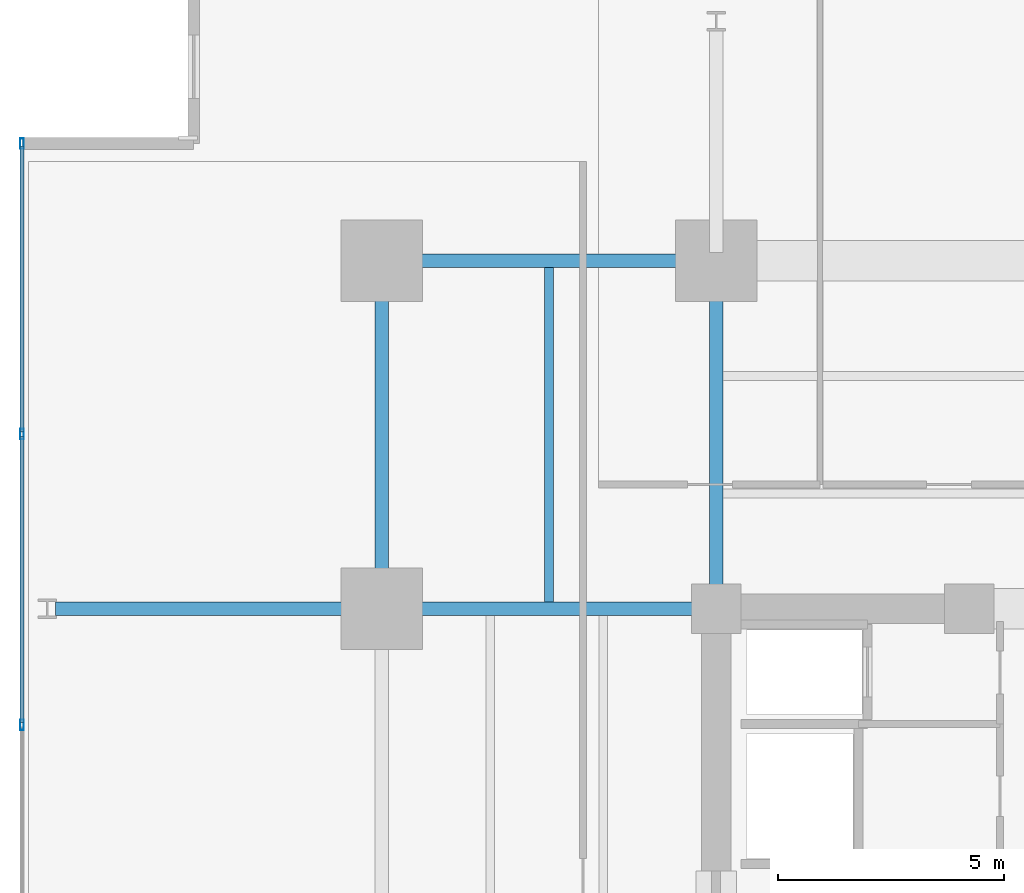
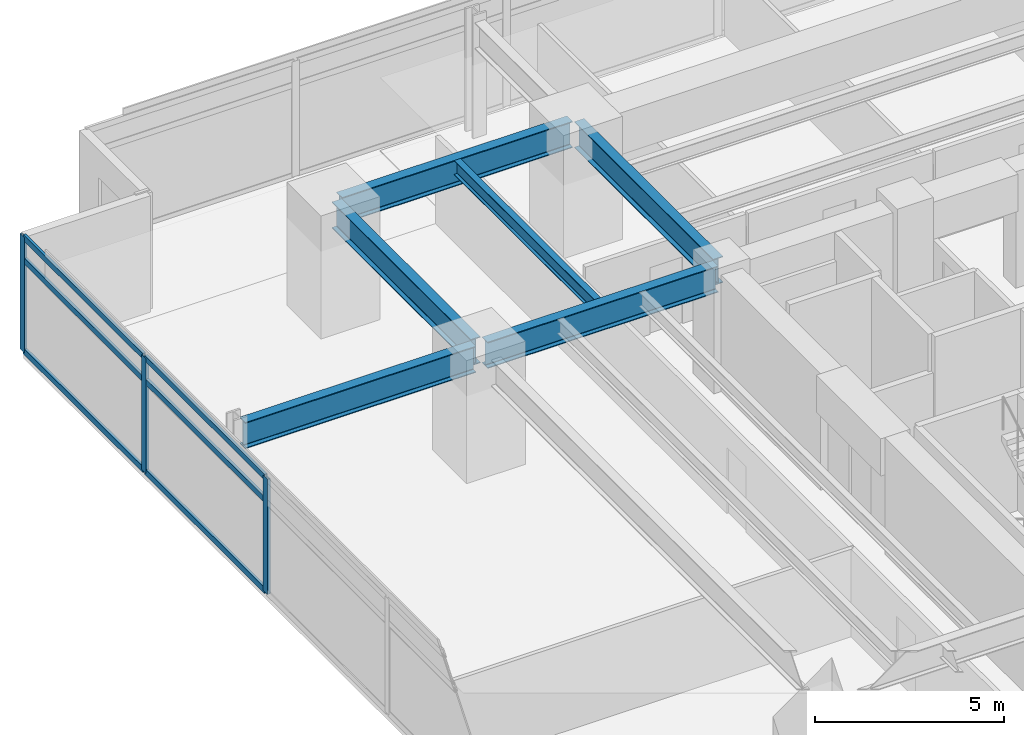
# One storey, part 6 of 23: 9 members, 6 beams, 1 element without a shape of its own.
"""IFC4 building model written with IfcOpenShell, lengths in metres."""

from ifc_helpers import new_model, si_unit, direction, frame, origin, origin_2d, place, context, subcontext, project, spatial, hollow_rectangle, i_section, extrude, material, material_profile, profile_set, type_object, element, aggregate, save


model = new_model("IFC4")

# Units and contexts
model_context = context("Model", 3, precision=1e-05, world=origin(), true_north=direction((0.0, 1.0)))
body_context = subcontext(model_context, "Body", "Model", "MODEL_VIEW")
ifc_project = project(units=[si_unit("LENGTHUNIT", "METRE"), si_unit("AREAUNIT", "SQUARE_METRE"), si_unit("VOLUMEUNIT", "CUBIC_METRE"), si_unit("PLANEANGLEUNIT", "RADIAN"), si_unit("MASSUNIT", "GRAM", prefix="KILO")], contexts=[model_context])

# Site, building, storey
site_placement = place(None, origin())
site = spatial("IfcSite", under=ifc_project, at=site_placement, CompositionType="ELEMENT")
building_placement = place(site_placement, origin())
building = spatial("IfcBuilding", under=site, at=building_placement, Name="Kovane Verandah Tower", CompositionType="ELEMENT")
storey_placement = place(building_placement, frame((0.0, 0.0, 91.60009765625)))
storey = spatial("IfcBuildingStorey", under=building, at=storey_placement, Name="L21", CompositionType="ELEMENT", Elevation=91.60009765625)

# Beams
ifc_material_1 = material(Name="Steel S355", Category="steel")
ifc_material_profile_1 = material_profile(ifc_material_1, i_section(OverallWidth=0.293701171875, OverallDepth=0.850830078125, WebThickness=0.01611328125, FlangeThickness=0.02685546875, FilletRadius=0.017822265625, at=origin_2d()), Name="UB838x292x226")
ifc_profile_set_1 = profile_set([ifc_material_profile_1], Name="Steel S355")
beam_type_1 = type_object("IfcBeamType", Name="BM-UB838x226", PredefinedType="BEAM", material=ifc_profile_set_1)
beam_1_placement = place(storey_placement, frame((21.780029296875, 44.199951171875, 3.33447265625), z_axis=(1.0, 0.0, 0.0), x_axis=(0.0, 1.0, 0.0)))
element("IfcBeam", 1, at=beam_1_placement, inside=storey, type_object=beam_type_1, Name="L21 Primary Tower Girder G-RN1", PredefinedType="BEAM", context=body_context, shape_type="SweptSolid", body=[
    extrude(i_section(OverallWidth=0.293701171875, OverallDepth=0.850830078125, WebThickness=0.01611328125, FlangeThickness=0.02685546875, FilletRadius=0.017822265625, at=origin_2d()), origin(), (0.0, 0.0, 1.0), 7.0400390625),
])
beam_2_placement = place(storey_placement, frame((21.60009765625, 36.679931640625, 3.33447265625), z_axis=(0.0, 1.0, 0.0), x_axis=(-1.0, 0.0, 0.0)))
element("IfcBeam", 2, at=beam_2_placement, inside=storey, type_object=beam_type_1, Name="L21 Primary Tower Girder G-RW3", PredefinedType="BEAM", context=body_context, shape_type="SweptSolid", body=[
    extrude(i_section(OverallWidth=0.293701171875, OverallDepth=0.850830078125, WebThickness=0.01611328125, FlangeThickness=0.02685546875, FilletRadius=0.017822265625, at=origin_2d()), origin(), (0.0, 0.0, 1.0), 7.340087890625),
])
beam_3_placement = place(storey_placement, frame((28.820068359375, 36.5, 3.33447265625), z_axis=(-1.0, 0.0, 0.0), x_axis=(0.0, -1.0, 0.0)))
element("IfcBeam", 3, at=beam_3_placement, inside=storey, type_object=beam_type_1, Name="L21 Primary Tower Girder G-W2", PredefinedType="BEAM", context=body_context, shape_type="SweptSolid", body=[
    extrude(i_section(OverallWidth=0.293701171875, OverallDepth=0.850830078125, WebThickness=0.01611328125, FlangeThickness=0.02685546875, FilletRadius=0.017822265625, at=origin_2d()), origin(), (0.0, 0.0, 1.0), 7.0400390625),
])
beam_4_placement = place(storey_placement, frame((29.0, 36.679931640625, 3.33447265625), z_axis=(0.0, 1.0, 0.0), x_axis=(-1.0, 0.0, 0.0)))
element("IfcBeam", 4, at=beam_4_placement, inside=storey, type_object=beam_type_1, Name="L21 Primary Tower Girder G-N1", PredefinedType="BEAM", context=body_context, shape_type="SweptSolid", body=[
    extrude(i_section(OverallWidth=0.293701171875, OverallDepth=0.850830078125, WebThickness=0.01611328125, FlangeThickness=0.02685546875, FilletRadius=0.017822265625, at=origin_2d()), origin(), (0.0, 0.0, 1.0), 7.340087890625),
])
beam_5_placement = place(storey_placement, frame((21.419921875, 36.5, 3.33447265625), z_axis=(-1.0, 0.0, 0.0), x_axis=(0.0, -1.0, 0.0)))
element("IfcBeam", 5, at=beam_5_placement, inside=storey, type_object=beam_type_1, Name="L21 Primary Tower Girder G-VW2", PredefinedType="BEAM", context=body_context, shape_type="SweptSolid", body=[
    extrude(i_section(OverallWidth=0.293701171875, OverallDepth=0.850830078125, WebThickness=0.01611328125, FlangeThickness=0.02685546875, FilletRadius=0.017822265625, at=origin_2d()), origin(), (0.0, 0.0, 1.0), 7.0400390625),
])

# Curtain wall, members
ifc_material_2 = material(Name="Champagne Anodised Aluminium Frame with Low-E Clear Laminated Glass", Category="aluminium")
curtain_wall_type = type_object("IfcCurtainWallType", Name="CW-SYS-02-LOW", PredefinedType="NOTDEFINED", material=ifc_material_2)
curtain_wall_placement = place(storey_placement, origin())
curtain_wall = element("IfcCurtainWall", 6, at=curtain_wall_placement, inside=storey, type_object=curtain_wall_type, Name="L21 W Unitised Curtain Wall", PredefinedType="NOTDEFINED")
ifc_material_3 = material(Name="Champagne Anodised Aluminium 6063-T6", Category="aluminium")
ifc_material_profile_2 = material_profile(ifc_material_3, hollow_rectangle(XDim=0.0849609375, YDim=0.22998046875, WallThickness=0.00390625, at=origin_2d()), Name="AL85x230x4")
ifc_profile_set_2 = profile_set([ifc_material_profile_2], Name="Champagne Anodised Aluminium 6063-T6")
member_type_1 = type_object("IfcMemberType", Name="CW-MUL-85x230", PredefinedType="MULLION", material=ifc_profile_set_2)
member_1_placement = place(storey_placement, frame((13.635986328125, 46.794921875, 0.02001953125), z_axis=(0.0, 0.0, 1.0), x_axis=(-1.0, 0.0, 0.0)))
member_1 = element("IfcMember", 7, at=member_1_placement, type_object=member_type_1, Name="L21 W Unitised Curtain Wall Mullion 1", PredefinedType="MULLION", context=body_context, shape_type="SweptSolid", body=[
    extrude(hollow_rectangle(XDim=0.0849609375, YDim=0.22998046875, WallThickness=0.00390625, at=origin_2d()), origin(), (0.0, 0.0, 1.0), 3.719970703125),
])
member_2_placement = place(storey_placement, frame((13.635986328125, 40.36328125, 0.02001953125), z_axis=(0.0, 0.0, 1.0), x_axis=(-1.0, 0.0, 0.0)))
member_2 = element("IfcMember", 8, at=member_2_placement, type_object=member_type_1, Name="L21 W Unitised Curtain Wall Mullion 2", PredefinedType="MULLION", context=body_context, shape_type="SweptSolid", body=[
    extrude(hollow_rectangle(XDim=0.0849609375, YDim=0.22998046875, WallThickness=0.00390625, at=origin_2d()), origin(), (0.0, 0.0, 1.0), 3.719970703125),
])
member_3_placement = place(storey_placement, frame((13.635986328125, 33.931640625, 0.02001953125), z_axis=(0.0, 0.0, 1.0), x_axis=(-1.0, 0.0, 0.0)))
member_3 = element("IfcMember", 9, at=member_3_placement, type_object=member_type_1, Name="L21 W Unitised Curtain Wall Mullion 3", PredefinedType="MULLION", context=body_context, shape_type="SweptSolid", body=[
    extrude(hollow_rectangle(XDim=0.0849609375, YDim=0.22998046875, WallThickness=0.00390625, at=origin_2d()), origin(), (0.0, 0.0, 1.0), 3.719970703125),
])
ifc_material_profile_3 = material_profile(ifc_material_3, hollow_rectangle(XDim=0.0849609375, YDim=0.18994140625, WallThickness=0.00390625, at=origin_2d()), Name="AL85x190x4")
ifc_profile_set_3 = profile_set([ifc_material_profile_3], Name="Champagne Anodised Aluminium 6063-T6")
member_type_2 = type_object("IfcMemberType", Name="CW-TRN-85x190", PredefinedType="USERDEFINED", material=ifc_profile_set_3)
member_4_placement = place(storey_placement, frame((13.635986328125, 46.744873046875, 0.0498046875), z_axis=(0.0, -1.0, 0.0), x_axis=(1.0, 0.0, 0.0)))
member_4 = element("IfcMember", 10, at=member_4_placement, type_object=member_type_2, Name="L21 W Unitised Curtain Wall Transom TB Bay 1", ObjectType="TRANSOM", PredefinedType="USERDEFINED", context=body_context, shape_type="SweptSolid", body=[
    extrude(hollow_rectangle(XDim=0.0849609375, YDim=0.18994140625, WallThickness=0.00390625, at=origin_2d()), origin(), (0.0, 0.0, 1.0), 6.33154296875),
])
member_5_placement = place(storey_placement, frame((13.635986328125, 46.744873046875, 2.97998046875), z_axis=(0.0, -1.0, 0.0), x_axis=(1.0, 0.0, 0.0)))
member_5 = element("IfcMember", 11, at=member_5_placement, type_object=member_type_2, Name="L21 W Unitised Curtain Wall Transom TM Bay 1", ObjectType="TRANSOM", PredefinedType="USERDEFINED", context=body_context, shape_type="SweptSolid", body=[
    extrude(hollow_rectangle(XDim=0.0849609375, YDim=0.18994140625, WallThickness=0.00390625, at=origin_2d()), origin(), (0.0, 0.0, 1.0), 6.33154296875),
])
member_6_placement = place(storey_placement, frame((13.635986328125, 46.744873046875, 3.7099609375), z_axis=(0.0, -1.0, 0.0), x_axis=(1.0, 0.0, 0.0)))
member_6 = element("IfcMember", 12, at=member_6_placement, type_object=member_type_2, Name="L21 W Unitised Curtain Wall Transom TT Bay 1", ObjectType="TRANSOM", PredefinedType="USERDEFINED", context=body_context, shape_type="SweptSolid", body=[
    extrude(hollow_rectangle(XDim=0.0849609375, YDim=0.18994140625, WallThickness=0.00390625, at=origin_2d()), origin(), (0.0, 0.0, 1.0), 6.33154296875),
])
member_7_placement = place(storey_placement, frame((13.635986328125, 40.313232421875, 0.0498046875), z_axis=(0.0, -1.0, 0.0), x_axis=(1.0, 0.0, 0.0)))
member_7 = element("IfcMember", 13, at=member_7_placement, type_object=member_type_2, Name="L21 W Unitised Curtain Wall Transom TB Bay 2", ObjectType="TRANSOM", PredefinedType="USERDEFINED", context=body_context, shape_type="SweptSolid", body=[
    extrude(hollow_rectangle(XDim=0.0849609375, YDim=0.18994140625, WallThickness=0.00390625, at=origin_2d()), origin(), (0.0, 0.0, 1.0), 6.33154296875),
])
member_8_placement = place(storey_placement, frame((13.635986328125, 40.313232421875, 2.97998046875), z_axis=(0.0, -1.0, 0.0), x_axis=(1.0, 0.0, 0.0)))
member_8 = element("IfcMember", 14, at=member_8_placement, type_object=member_type_2, Name="L21 W Unitised Curtain Wall Transom TM Bay 2", ObjectType="TRANSOM", PredefinedType="USERDEFINED", context=body_context, shape_type="SweptSolid", body=[
    extrude(hollow_rectangle(XDim=0.0849609375, YDim=0.18994140625, WallThickness=0.00390625, at=origin_2d()), origin(), (0.0, 0.0, 1.0), 6.33154296875),
])
member_9_placement = place(storey_placement, frame((13.635986328125, 40.313232421875, 3.7099609375), z_axis=(0.0, -1.0, 0.0), x_axis=(1.0, 0.0, 0.0)))
member_9 = element("IfcMember", 15, at=member_9_placement, type_object=member_type_2, Name="L21 W Unitised Curtain Wall Transom TT Bay 2", ObjectType="TRANSOM", PredefinedType="USERDEFINED", context=body_context, shape_type="SweptSolid", body=[
    extrude(hollow_rectangle(XDim=0.0849609375, YDim=0.18994140625, WallThickness=0.00390625, at=origin_2d()), origin(), (0.0, 0.0, 1.0), 6.33154296875),
])
aggregate(curtain_wall, [member_1, member_2, member_3, member_4, member_5, member_6, member_7, member_8, member_9])

# Beam
ifc_material_profile_4 = material_profile(ifc_material_1, i_section(OverallWidth=0.19287109375, OverallDepth=0.46728515625, WebThickness=0.011474609375, FlangeThickness=0.01953125, FilletRadius=0.01025390625, at=origin_2d()), Name="UB457x191x98")
ifc_profile_set_4 = profile_set([ifc_material_profile_4], Name="Steel S355")
beam_type_2 = type_object("IfcBeamType", Name="JST-UB457x98", PredefinedType="JOIST", material=ifc_profile_set_4)
beam_6_placement = place(storey_placement, frame((25.300048828125, 36.64501953125, 3.5263671875), z_axis=(0.0, 1.0, 0.0), x_axis=(-1.0, 0.0, 0.0)))
element("IfcBeam", 16, at=beam_6_placement, inside=storey, type_object=beam_type_2, Name="L21 Secondary Composite Joist J-NW1", PredefinedType="JOIST", context=body_context, shape_type="SweptSolid", body=[
    extrude(i_section(OverallWidth=0.19287109375, OverallDepth=0.46728515625, WebThickness=0.011474609375, FlangeThickness=0.01953125, FilletRadius=0.01025390625, at=origin_2d()), origin(), (0.0, 0.0, 1.0), 7.41015625),
])

save(model, "model.ifc")
